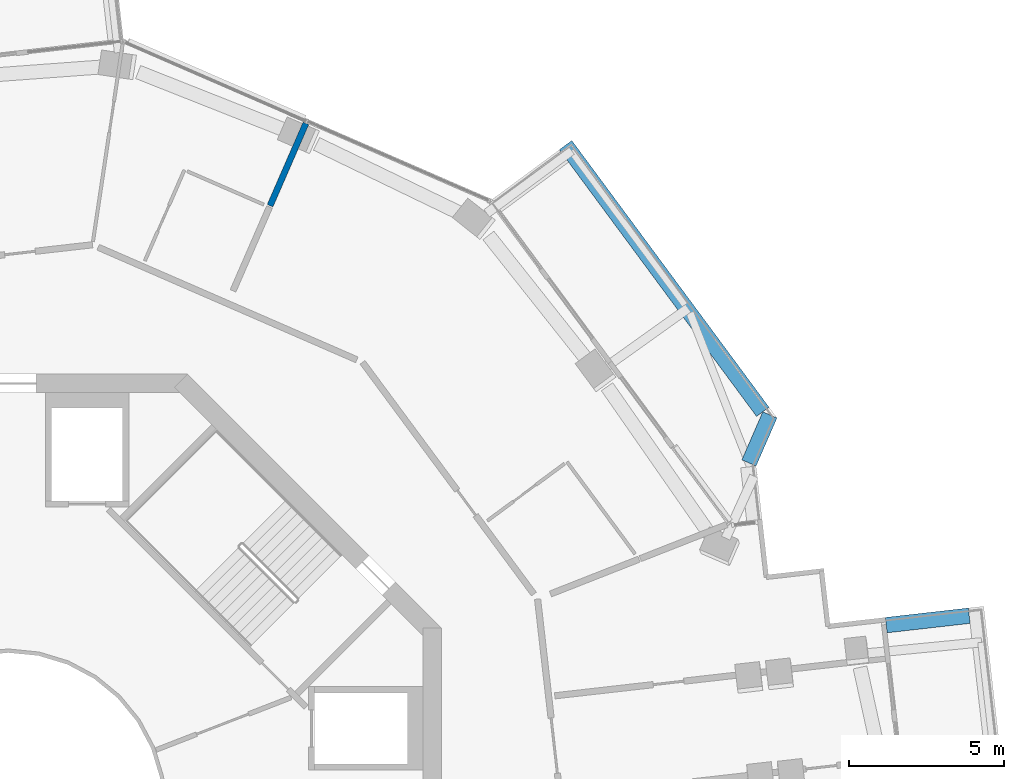
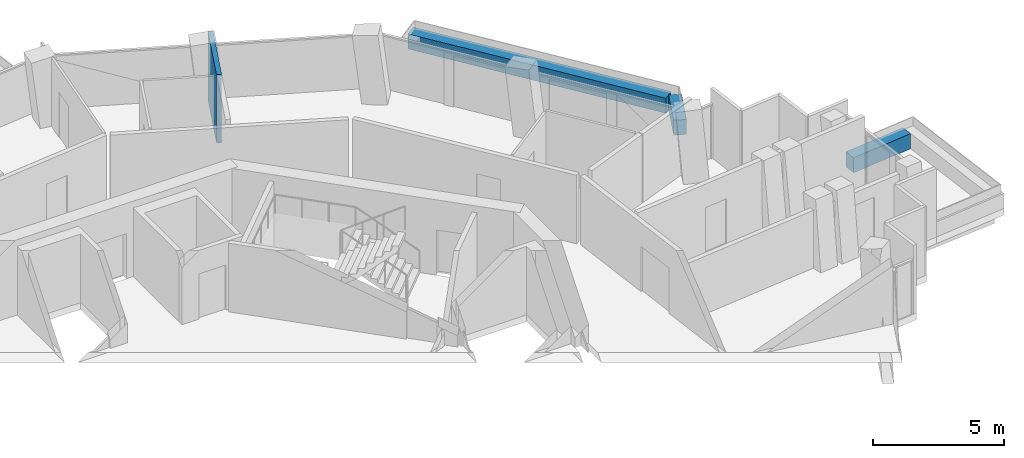
# One storey, part 20 of 23: 4 walls.
"""IFC4 building model written with IfcOpenShell, lengths in metres."""

from ifc_helpers import new_model, si_unit, direction, frame, frame_2d, origin, place, context, subcontext, project, spatial, rectangle, extrude, material, layer, layer_set, type_object, element, save


model = new_model("IFC4")

# Units and contexts
model_context = context("Model", 3, precision=1e-05, world=origin(), true_north=direction((0.0, 1.0)))
body_context = subcontext(model_context, "Body", "Model", "MODEL_VIEW")
ifc_project = project(units=[si_unit("LENGTHUNIT", "METRE"), si_unit("AREAUNIT", "SQUARE_METRE"), si_unit("VOLUMEUNIT", "CUBIC_METRE"), si_unit("PLANEANGLEUNIT", "RADIAN"), si_unit("MASSUNIT", "GRAM", prefix="KILO")], contexts=[model_context])

# Site, building, storey
site_placement = place(None, origin())
site = spatial("IfcSite", under=ifc_project, at=site_placement, CompositionType="ELEMENT")
building_placement = place(site_placement, origin())
building = spatial("IfcBuilding", under=site, at=building_placement, Name="Verdalira Terraces Hotel", CompositionType="ELEMENT")
storey_placement = place(building_placement, frame((0.0, 0.0, 183.5)))
storey = spatial("IfcBuildingStorey", under=building, at=storey_placement, Name="L44", CompositionType="ELEMENT", Elevation=183.5)

# Walls
ifc_material_1 = material(Name="Concrete C40", Category="concrete")
ifc_layer_1 = layer(ifc_material_1, 0.5)
ifc_layer_set_1 = layer_set([ifc_layer_1], Name="Balcony planter trough with tree")
wall_type_1 = type_object("IfcWallType", Name="Balcony planter trough with tree", PredefinedType="SOLIDWALL", material=ifc_layer_set_1)
wall_1_placement = place(storey_placement, frame((31.057617, 6.19458, 0.0), z_axis=(0.0, 0.0, 1.0), x_axis=(-0.993617243, -0.112804143, 0.0)))
element("IfcWall", 1, at=wall_1_placement, inside=storey, type_object=wall_type_1, Name="Balcony planter", PredefinedType="SOLIDWALL", context=body_context, shape_type="SweptSolid", body=[
    extrude(rectangle(XDim=2.698975, YDim=0.5, at=frame_2d((1.349609, 0.0))), origin(), (0.0, 0.0, 1.0), 0.699951),
])
wall_2_placement = place(storey_placement, frame((23.938721, 11.129883, 0.0), z_axis=(0.0, 0.0, 1.0), x_axis=(0.399110541, 0.916902817, 0.0)))
element("IfcWall", 2, at=wall_2_placement, inside=storey, type_object=wall_type_1, Name="Balcony planter", PredefinedType="SOLIDWALL", context=body_context, shape_type="SweptSolid", body=[
    extrude(rectangle(XDim=1.695068, YDim=0.5, at=frame_2d((0.847656, 0.0))), origin(), (0.0, 0.0, 1.0), 0.699951),
])
wall_3_placement = place(storey_placement, frame((24.385986, 12.783691, 0.0), z_axis=(0.0, 0.0, 1.0), x_axis=(-0.594549224, 0.804059215, 0.0)))
element("IfcWall", 3, at=wall_3_placement, inside=storey, type_object=wall_type_1, Name="Balcony planter", PredefinedType="SOLIDWALL", context=body_context, shape_type="SweptSolid", body=[
    extrude(rectangle(XDim=10.719482, YDim=0.5, at=frame_2d((5.359863, 0.0))), origin(), (0.0, 0.0, 1.0), 0.699951),
])
ifc_material_2 = material(Name="Fire-rated gypsum board wall")
ifc_layer_2 = layer(ifc_material_2, 0.199951171875)
ifc_layer_set_2 = layer_set([ifc_layer_2], Name="Demising wall 200 mm")
wall_type_2 = type_object("IfcWallType", Name="Demising wall 200 mm", PredefinedType="SOLIDWALL", material=ifc_layer_set_2)
wall_4_placement = place(storey_placement, frame((8.462891, 19.44458, 0.0), z_axis=(0.0, 0.0, 1.0), x_axis=(0.399030644, 0.916937591, 0.0)))
element("IfcWall", 4, at=wall_4_placement, inside=storey, type_object=wall_type_2, Name="Demising wall", PredefinedType="SOLIDWALL", context=body_context, shape_type="SweptSolid", body=[
    extrude(rectangle(XDim=2.901855, YDim=0.199951, at=frame_2d((1.450928, 0.0))), origin(), (0.0, 0.0, 1.0), 3.189941),
])

save(model, "model.ifc")
